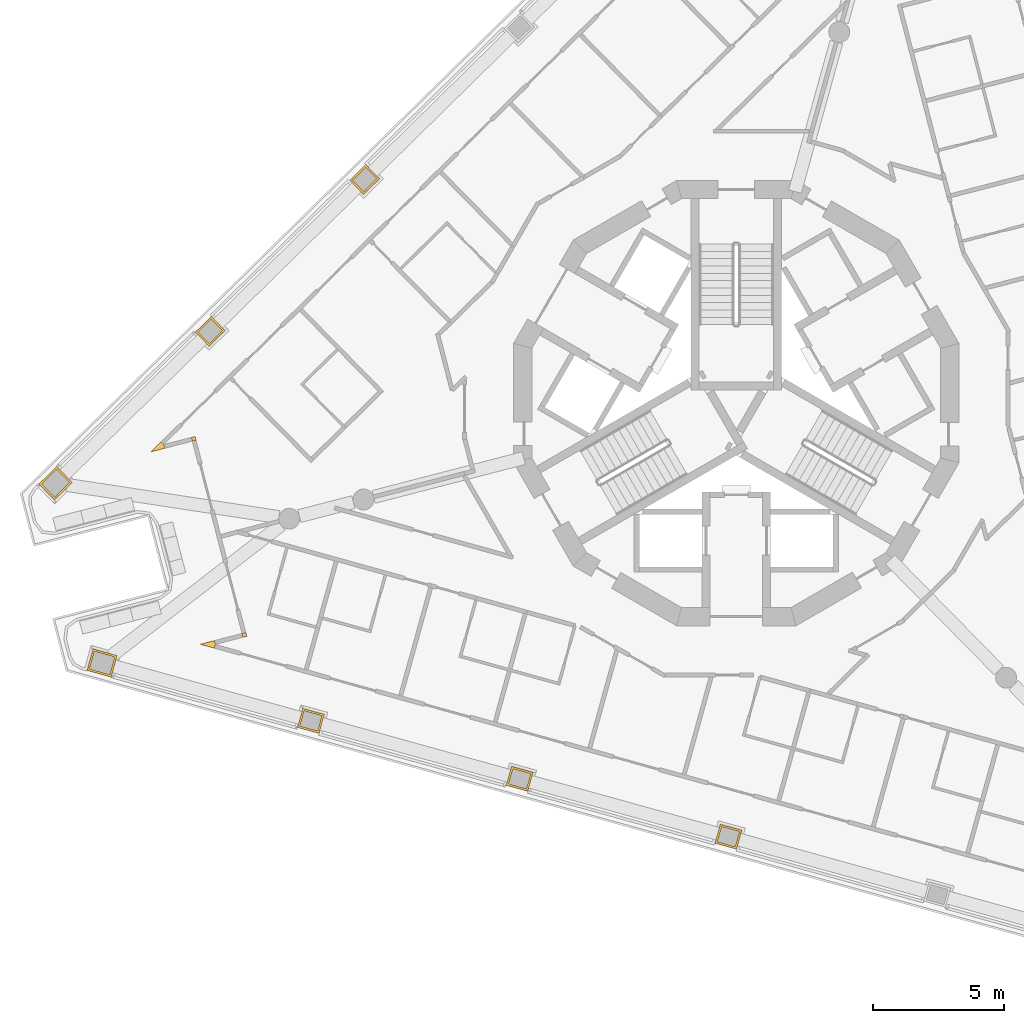
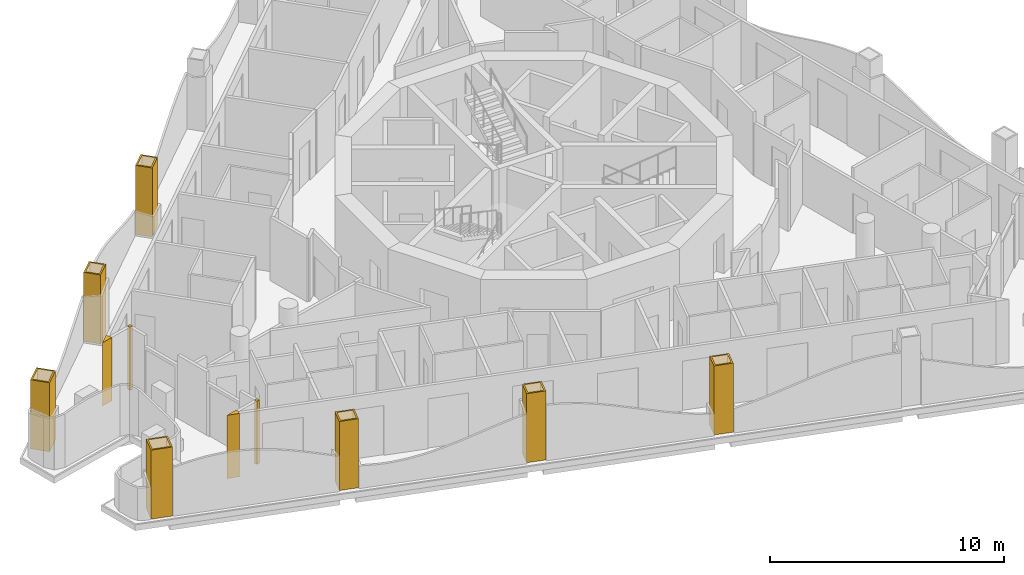
# One storey, part 10 of 15: 11 coverings.
"""IFC4 building model written with IfcOpenShell, lengths in metres."""

from ifc_helpers import new_model, si_unit, direction, frame, origin, place, context, subcontext, project, spatial, polyline, outline, extrude, material, layer, layer_set, type_object, element, save


model = new_model("IFC4")

# Units and contexts
model_context = context("Model", 3, precision=1e-05, world=origin(), true_north=direction((0.0, 1.0)))
body_context = subcontext(model_context, "Body", "Model", "MODEL_VIEW")
ifc_project = project(units=[si_unit("LENGTHUNIT", "METRE"), si_unit("AREAUNIT", "SQUARE_METRE"), si_unit("VOLUMEUNIT", "CUBIC_METRE"), si_unit("PLANEANGLEUNIT", "RADIAN"), si_unit("MASSUNIT", "GRAM", prefix="KILO")], contexts=[model_context])

# Site, building, storey
site_placement = place(None, origin())
site = spatial("IfcSite", under=ifc_project, at=site_placement, CompositionType="ELEMENT")
building_placement = place(site_placement, origin())
building = spatial("IfcBuilding", under=site, at=building_placement, Name="Trine Commons Tower", CompositionType="ELEMENT")
storey_placement = place(building_placement, frame((0.0, 0.0, 260.10009765625)))
storey = spatial("IfcBuildingStorey", under=building, at=storey_placement, Name="L68", CompositionType="ELEMENT", Elevation=260.10009765625)

# Coverings
ifc_material_1 = material(Name="Aluminium-framed insulated wall panel", Category="aluminium")
ifc_layer_1 = layer(ifc_material_1, 0.14990234375)
ifc_layer_set_1 = layer_set([ifc_layer_1], Name="Aluminium-framed insulated wall panel")
covering_type_1 = type_object("IfcCoveringType", Name="Glazing corner post, aluminium", PredefinedType="CLADDING", material=ifc_layer_set_1)
covering_1_placement = place(storey_placement, origin())
element("IfcCovering", 1, at=covering_1_placement, inside=storey, type_object=covering_type_1, Name="Glazing corner post 7-01", PredefinedType="CLADDING", context=body_context, shape_type="SweptSolid", body=[
    extrude(outline(polyline([(58.186279296875, 60.773193359375), (58.14892578125, 60.91845703125), (58.043701171875, 61.025390625), (57.644287109375, 60.63330078125), (58.186279296875, 60.773193359375)])), origin(), (0.0, 0.0, 1.0), 3.2998046875),
])
covering_2_placement = place(storey_placement, origin())
element("IfcCovering", 2, at=covering_2_placement, inside=storey, type_object=covering_type_1, Name="Glazing corner post 7-10", PredefinedType="CLADDING", context=body_context, shape_type="SweptSolid", body=[
    extrude(outline(polyline([(60.081787109375, 53.14501953125), (60.121826171875, 53.28955078125), (60.084228515625, 53.434814453125), (59.542236328125, 53.294677734375), (60.081787109375, 53.14501953125)])), origin(), (0.0, 0.0, 1.0), 3.2998046875),
])
covering_3_placement = place(storey_placement, origin())
element("IfcCovering", 3, at=covering_3_placement, inside=storey, type_object=covering_type_1, Name="Glazing corner post 7-11", PredefinedType="CLADDING", context=body_context, shape_type="SweptSolid", body=[
    extrude(outline(polyline([(61.135498046875, 53.70654296875), (61.135498046875, 53.70654296875), (61.173095703125, 53.561279296875), (61.318115234375, 53.598876953125), (61.28076171875, 53.744140625), (61.135498046875, 53.70654296875)])), origin(), (0.0, 0.0, 1.0), 3.2998046875),
])
covering_4_placement = place(storey_placement, origin())
element("IfcCovering", 4, at=covering_4_placement, inside=storey, type_object=covering_type_1, Name="Glazing corner post 7-12", PredefinedType="CLADDING", context=body_context, shape_type="SweptSolid", body=[
    extrude(outline(polyline([(59.199951171875, 61.1904296875), (59.237548828125, 61.045166015625), (59.3828125, 61.082763671875), (59.34521484375, 61.227783203125), (59.199951171875, 61.1904296875)])), origin(), (0.0, 0.0, 1.0), 3.2998046875),
])
ifc_material_2 = material(Name="Limestone, honed", Category="masonry")
ifc_layer_2 = layer(ifc_material_2, 0.074951171875)
ifc_layer_set_2 = layer_set([ifc_layer_2], Name="Limestone, honed")
covering_type_2 = type_object("IfcCoveringType", Name="Limestone column cladding 75", PredefinedType="CLADDING", material=ifc_layer_set_2)
covering_5_placement = place(storey_placement, origin())
element("IfcCovering", 5, at=covering_5_placement, inside=storey, type_object=covering_type_2, Name="Limestone pier cladding 7-03", PredefinedType="CLADDING", context=body_context, shape_type="SweptSolid", body=[
    extrude(outline(polyline([(79.3916015625, 46.42529296875), (79.19091796875, 45.70263671875), (80.010009765625, 45.4755859375), (80.210693359375, 46.1982421875), (79.3916015625, 46.42529296875)]), holes=[polyline([(79.443603515625, 46.3330078125), (79.283447265625, 45.7548828125), (79.9580078125, 45.56787109375), (80.1181640625, 46.14599609375), (79.443603515625, 46.3330078125)])]), origin(), (0.0, 0.0, 1.0), 3.599853515625),
])
covering_6_placement = place(storey_placement, origin())
element("IfcCovering", 6, at=covering_6_placement, inside=storey, type_object=covering_type_2, Name="Limestone pier cladding 7-04", PredefinedType="CLADDING", context=body_context, shape_type="SweptSolid", body=[
    extrude(outline(polyline([(71.423583984375, 48.635009765625), (71.222900390625, 47.912353515625), (72.0419921875, 47.685302734375), (72.24267578125, 48.407958984375), (71.423583984375, 48.635009765625)]), holes=[polyline([(71.4755859375, 48.542724609375), (71.3154296875, 47.964599609375), (71.989990234375, 47.777587890625), (72.150146484375, 48.355712890625), (71.4755859375, 48.542724609375)])]), origin(), (0.0, 0.0, 1.0), 3.599853515625),
])
covering_7_placement = place(storey_placement, origin())
element("IfcCovering", 7, at=covering_7_placement, inside=storey, type_object=covering_type_2, Name="Limestone pier cladding 7-05", PredefinedType="CLADDING", context=body_context, shape_type="SweptSolid", body=[
    extrude(outline(polyline([(63.45556640625, 50.8447265625), (63.2548828125, 50.1220703125), (64.07421875, 49.89501953125), (64.274658203125, 50.61767578125), (63.45556640625, 50.8447265625)]), holes=[polyline([(63.5078125, 50.75244140625), (63.347412109375, 50.17431640625), (64.02197265625, 49.9873046875), (64.18212890625, 50.5654296875), (63.5078125, 50.75244140625)])]), origin(), (0.0, 0.0, 1.0), 3.599853515625),
])
covering_8_placement = place(storey_placement, origin())
element("IfcCovering", 8, at=covering_8_placement, inside=storey, type_object=covering_type_2, Name="Limestone pier cladding 7-06", PredefinedType="CLADDING", context=body_context, shape_type="SweptSolid", body=[
    extrude(outline(polyline([(55.45263671875, 53.115966796875), (55.2255859375, 52.296875), (56.140869140625, 52.04296875), (56.3681640625, 52.862060546875), (55.45263671875, 53.115966796875)]), holes=[polyline([(55.5048828125, 53.023681640625), (55.31787109375, 52.34912109375), (56.088623046875, 52.13525390625), (56.27587890625, 52.809814453125), (55.5048828125, 53.023681640625)])]), origin(), (0.0, 0.0, 1.0), 3.599853515625),
])
covering_9_placement = place(storey_placement, origin())
element("IfcCovering", 9, at=covering_9_placement, inside=storey, type_object=covering_type_2, Name="Limestone pier cladding 7-07", PredefinedType="CLADDING", context=body_context, shape_type="SweptSolid", body=[
    extrude(outline(polyline([(54.65869140625, 59.472412109375), (54.062744140625, 60.078857421875), (53.38525390625, 59.412841796875), (53.98095703125, 58.806640625), (54.65869140625, 59.472412109375)]), holes=[polyline([(54.552490234375, 59.473388671875), (54.06201171875, 59.97265625), (53.4912109375, 59.412109375), (53.98193359375, 58.91259765625), (54.552490234375, 59.473388671875)])]), origin(), (0.0, 0.0, 1.0), 3.599853515625),
])
covering_10_placement = place(storey_placement, origin())
element("IfcCovering", 10, at=covering_10_placement, inside=storey, type_object=covering_type_2, Name="Limestone pier cladding 7-08", PredefinedType="CLADDING", context=body_context, shape_type="SweptSolid", body=[
    extrude(outline(polyline([(60.485595703125, 65.268798828125), (59.959716796875, 65.8037109375), (59.353515625, 65.2080078125), (59.879150390625, 64.6728515625), (60.485595703125, 65.268798828125)]), holes=[polyline([(60.37939453125, 65.26953125), (59.958984375, 65.697509765625), (59.459716796875, 65.20703125), (59.880126953125, 64.779052734375), (60.37939453125, 65.26953125)])]), origin(), (0.0, 0.0, 1.0), 3.599853515625),
])
covering_11_placement = place(storey_placement, origin())
element("IfcCovering", 11, at=covering_11_placement, inside=storey, type_object=covering_type_2, Name="Limestone pier cladding 7-09", PredefinedType="CLADDING", context=body_context, shape_type="SweptSolid", body=[
    extrude(outline(polyline([(66.38330078125, 71.064208984375), (65.857421875, 71.599365234375), (65.251220703125, 71.00341796875), (65.77685546875, 70.468505859375), (66.38330078125, 71.064208984375)]), holes=[polyline([(66.277099609375, 71.065185546875), (65.856689453125, 71.4931640625), (65.357421875, 71.002685546875), (65.77783203125, 70.57470703125), (66.277099609375, 71.065185546875)])]), origin(), (0.0, 0.0, 1.0), 3.599853515625),
])

save(model, "model.ifc")
